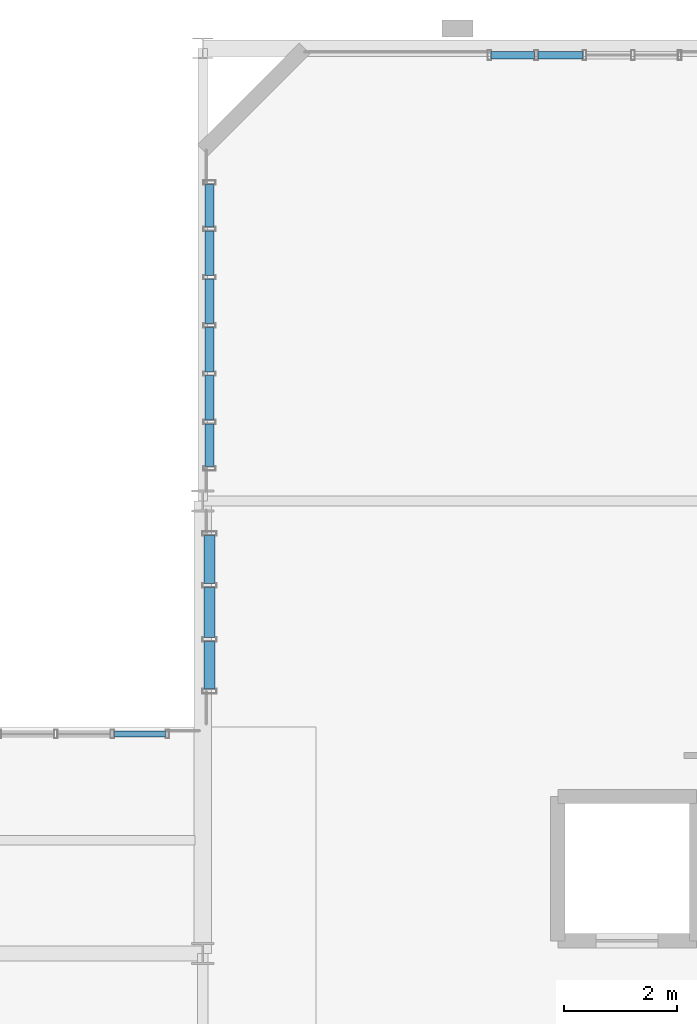
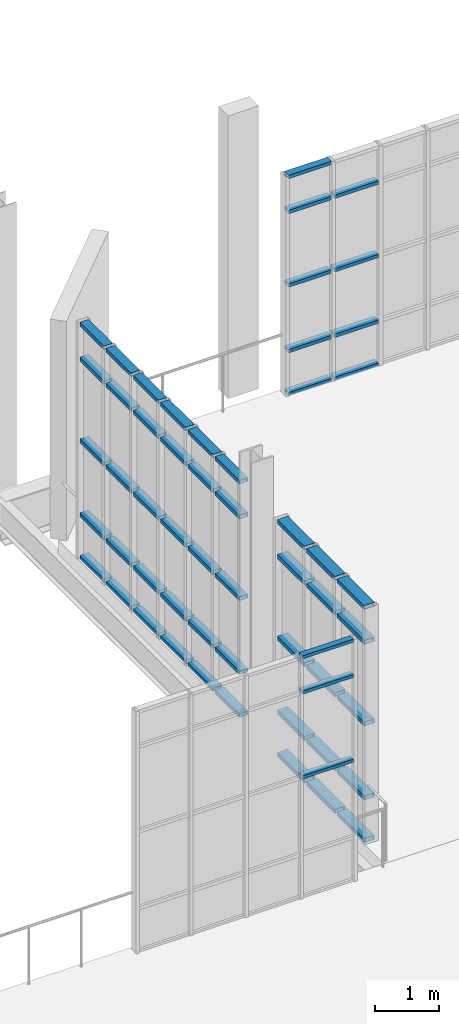
# One storey, part 95 of 142: 57 members, 4 elements without a shape of their own.
"""IFC4 building model written with IfcOpenShell, lengths in metres."""

from ifc_helpers import new_model, si_unit, direction, frame, origin, origin_2d, place, context, subcontext, project, spatial, hollow_rectangle, extrude, material, layer, layer_set, material_profile, profile_set, type_object, element, aggregate, save


model = new_model("IFC4")

# Units and contexts
model_context = context("Model", 3, precision=1e-05, world=origin(), true_north=direction((0.0, 1.0)))
body_context = subcontext(model_context, "Body", "Model", "MODEL_VIEW")
ifc_project = project(units=[si_unit("LENGTHUNIT", "METRE"), si_unit("AREAUNIT", "SQUARE_METRE"), si_unit("VOLUMEUNIT", "CUBIC_METRE"), si_unit("PLANEANGLEUNIT", "RADIAN"), si_unit("MASSUNIT", "GRAM", prefix="KILO"), si_unit("THERMODYNAMICTEMPERATUREUNIT", "KELVIN"), si_unit("POWERUNIT", "WATT")], contexts=[model_context])

# Site, building, storey
site_placement = place(None, origin())
site = spatial("IfcSite", under=ifc_project, at=site_placement, CompositionType="ELEMENT")
building_placement = place(site_placement, origin())
building = spatial("IfcBuilding", under=site, at=building_placement, Name="Zelmaris Science Centre", CompositionType="ELEMENT")
storey_placement = place(building_placement, frame((0.0, 0.0, 5.39990234375)))
storey = spatial("IfcBuildingStorey", under=building, at=storey_placement, Name="L01", CompositionType="ELEMENT", Elevation=5.39990234375)

# Curtain wall, members
ifc_material = material(Name="Anodised architectural aluminium 6063-T6", Category="aluminium")
ifc_layer_1 = layer(ifc_material, 0.219970703125, Name="Anodised architectural aluminium 6063-T6")
ifc_layer_set_1 = layer_set([ifc_layer_1], Name="Anodised architectural aluminium 6063-T6")
curtain_wall_type_1 = type_object("IfcCurtainWallType", Name="Curtain Wall CW-04", PredefinedType="USERDEFINED", material=ifc_layer_set_1)
curtain_wall_1_placement = place(storey_placement, origin())
curtain_wall_1 = element("IfcCurtainWall", 1, at=curtain_wall_1_placement, inside=storey, type_object=curtain_wall_type_1, Name="L01 Unitised curtain wall 128", ObjectType="GLAZED CURTAIN WALL", PredefinedType="USERDEFINED")
ifc_material_profile_1 = material_profile(ifc_material, hollow_rectangle(XDim=0.06005859375, YDim=0.110107421875, WallThickness=0.0029296875, at=origin_2d()), Name="ALU-TRN-60X110")
ifc_profile_set_1 = profile_set([ifc_material_profile_1], Name="Anodised architectural aluminium 6063-T6")
member_type_1 = type_object("IfcMemberType", Name="ALU-TRN-60X110", PredefinedType="USERDEFINED", material=ifc_profile_set_1)
member_1_placement = place(storey_placement, frame((52.4287109375, 75.88037109375, 2.302490234375), z_axis=(0.999999964727, -0.00026560424, 0.0), x_axis=(0.0, 0.0, 1.0)))
member_1 = element("IfcMember", 2, at=member_1_placement, type_object=member_type_1, Name="CW-04 transom 4.3", ObjectType="TRANSOM", PredefinedType="USERDEFINED", context=body_context, shape_type="SweptSolid", body=[
    extrude(hollow_rectangle(XDim=0.06005859375, YDim=0.110107421875, WallThickness=0.0029296875, at=origin_2d()), origin(), (0.0, 0.0, 1.0), 0.919189453125),
])
member_2_placement = place(storey_placement, frame((52.4287109375, 75.88037109375, 3.920166015625), z_axis=(0.999999964727, -0.00026560424, 0.0), x_axis=(0.0, 0.0, 1.0)))
member_2 = element("IfcMember", 3, at=member_2_placement, type_object=member_type_1, Name="CW-04 transom 4.4", ObjectType="TRANSOM", PredefinedType="USERDEFINED", context=body_context, shape_type="SweptSolid", body=[
    extrude(hollow_rectangle(XDim=0.06005859375, YDim=0.110107421875, WallThickness=0.0029296875, at=origin_2d()), origin(), (0.0, 0.0, 1.0), 0.919189453125),
])
member_3_placement = place(storey_placement, frame((52.4287109375, 75.88037109375, 4.593994140625), z_axis=(0.999999964727, -0.00026560424, 0.0), x_axis=(0.0, 0.0, 1.0)))
member_3 = element("IfcMember", 4, at=member_3_placement, type_object=member_type_1, Name="CW-04 transom 4.5", ObjectType="TRANSOM", PredefinedType="USERDEFINED", context=body_context, shape_type="SweptSolid", body=[
    extrude(hollow_rectangle(XDim=0.06005859375, YDim=0.110107421875, WallThickness=0.0029296875, at=origin_2d()), origin(), (0.0, 0.0, 1.0), 0.919189453125),
])
aggregate(curtain_wall_1, [member_1, member_2, member_3])

ifc_layer_2 = layer(ifc_material, 0.2099609375, Name="Anodised architectural aluminium 6063-T6")
ifc_layer_set_2 = layer_set([ifc_layer_2], Name="Anodised architectural aluminium 6063-T6")
curtain_wall_type_2 = type_object("IfcCurtainWallType", Name="Curtain Wall CW-03", PredefinedType="USERDEFINED", material=ifc_layer_set_2)
curtain_wall_2_placement = place(storey_placement, origin())
curtain_wall_2 = element("IfcCurtainWall", 5, at=curtain_wall_2_placement, inside=storey, type_object=curtain_wall_type_2, Name="L01 Unitised curtain wall 131", ObjectType="GLAZED CURTAIN WALL", PredefinedType="USERDEFINED")
ifc_material_profile_2 = material_profile(ifc_material, hollow_rectangle(XDim=0.06494140625, YDim=0.1298828125, WallThickness=0.00341796875, at=origin_2d()), Name="ALU-TRN-65X130")
ifc_profile_set_2 = profile_set([ifc_material_profile_2], Name="Anodised architectural aluminium 6063-T6")
member_type_2 = type_object("IfcMemberType", Name="ALU-TRN-65X130", PredefinedType="USERDEFINED", material=ifc_profile_set_2)
member_4_placement = place(storey_placement, frame((59.096923828125, 87.8798828125, 0.013671875), z_axis=(1.0, 0.0, 0.0), x_axis=(0.0, 0.0, 1.0)))
member_4 = element("IfcMember", 6, at=member_4_placement, type_object=member_type_2, Name="CW-03 transom 1.1", ObjectType="TRANSOM", PredefinedType="USERDEFINED", context=body_context, shape_type="SweptSolid", body=[
    extrude(hollow_rectangle(XDim=0.06494140625, YDim=0.1298828125, WallThickness=0.00341796875, at=origin_2d()), origin(), (0.0, 0.0, 1.0), 0.76953125),
])
member_5_placement = place(storey_placement, frame((59.096923828125, 87.8798828125, 0.835205078125), z_axis=(1.0, 0.0, 0.0), x_axis=(0.0, 0.0, 1.0)))
member_5 = element("IfcMember", 7, at=member_5_placement, type_object=member_type_2, Name="CW-03 transom 1.2", ObjectType="TRANSOM", PredefinedType="USERDEFINED", context=body_context, shape_type="SweptSolid", body=[
    extrude(hollow_rectangle(XDim=0.06494140625, YDim=0.1298828125, WallThickness=0.00341796875, at=origin_2d()), origin(), (0.0, 0.0, 1.0), 0.76953125),
])
member_6_placement = place(storey_placement, frame((59.096923828125, 87.8798828125, 2.088134765625), z_axis=(1.0, 0.0, 0.0), x_axis=(0.0, 0.0, 1.0)))
member_6 = element("IfcMember", 8, at=member_6_placement, type_object=member_type_2, Name="CW-03 transom 1.3", ObjectType="TRANSOM", PredefinedType="USERDEFINED", context=body_context, shape_type="SweptSolid", body=[
    extrude(hollow_rectangle(XDim=0.06494140625, YDim=0.1298828125, WallThickness=0.00341796875, at=origin_2d()), origin(), (0.0, 0.0, 1.0), 0.76953125),
])
member_7_placement = place(storey_placement, frame((59.096923828125, 87.8798828125, 3.4912109375), z_axis=(1.0, 0.0, 0.0), x_axis=(0.0, 0.0, 1.0)))
member_7 = element("IfcMember", 9, at=member_7_placement, type_object=member_type_2, Name="CW-03 transom 1.4", ObjectType="TRANSOM", PredefinedType="USERDEFINED", context=body_context, shape_type="SweptSolid", body=[
    extrude(hollow_rectangle(XDim=0.06494140625, YDim=0.1298828125, WallThickness=0.00341796875, at=origin_2d()), origin(), (0.0, 0.0, 1.0), 0.76953125),
])
member_8_placement = place(storey_placement, frame((59.096923828125, 87.8798828125, 4.16259765625), z_axis=(1.0, 0.0, 0.0), x_axis=(0.0, 0.0, 1.0)))
member_8 = element("IfcMember", 10, at=member_8_placement, type_object=member_type_2, Name="CW-03 transom 1.5", ObjectType="TRANSOM", PredefinedType="USERDEFINED", context=body_context, shape_type="SweptSolid", body=[
    extrude(hollow_rectangle(XDim=0.06494140625, YDim=0.1298828125, WallThickness=0.00341796875, at=origin_2d()), origin(), (0.0, 0.0, 1.0), 0.76953125),
])
member_9_placement = place(storey_placement, frame((59.923583984375, 87.8798828125, 0.013671875), z_axis=(1.0, 0.0, 0.0), x_axis=(0.0, 0.0, 1.0)))
member_9 = element("IfcMember", 11, at=member_9_placement, type_object=member_type_2, Name="CW-03 transom 2.1", ObjectType="TRANSOM", PredefinedType="USERDEFINED", context=body_context, shape_type="SweptSolid", body=[
    extrude(hollow_rectangle(XDim=0.06494140625, YDim=0.1298828125, WallThickness=0.00341796875, at=origin_2d()), origin(), (0.0, 0.0, 1.0), 0.7978515625),
])
member_10_placement = place(storey_placement, frame((59.923583984375, 87.8798828125, 0.835205078125), z_axis=(1.0, 0.0, 0.0), x_axis=(0.0, 0.0, 1.0)))
member_10 = element("IfcMember", 12, at=member_10_placement, type_object=member_type_2, Name="CW-03 transom 2.2", ObjectType="TRANSOM", PredefinedType="USERDEFINED", context=body_context, shape_type="SweptSolid", body=[
    extrude(hollow_rectangle(XDim=0.06494140625, YDim=0.1298828125, WallThickness=0.00341796875, at=origin_2d()), origin(), (0.0, 0.0, 1.0), 0.7978515625),
])
member_11_placement = place(storey_placement, frame((59.923583984375, 87.8798828125, 2.088134765625), z_axis=(1.0, 0.0, 0.0), x_axis=(0.0, 0.0, 1.0)))
member_11 = element("IfcMember", 13, at=member_11_placement, type_object=member_type_2, Name="CW-03 transom 2.3", ObjectType="TRANSOM", PredefinedType="USERDEFINED", context=body_context, shape_type="SweptSolid", body=[
    extrude(hollow_rectangle(XDim=0.06494140625, YDim=0.1298828125, WallThickness=0.00341796875, at=origin_2d()), origin(), (0.0, 0.0, 1.0), 0.7978515625),
])
member_12_placement = place(storey_placement, frame((59.923583984375, 87.8798828125, 3.4912109375), z_axis=(1.0, 0.0, 0.0), x_axis=(0.0, 0.0, 1.0)))
member_12 = element("IfcMember", 14, at=member_12_placement, type_object=member_type_2, Name="CW-03 transom 2.4", ObjectType="TRANSOM", PredefinedType="USERDEFINED", context=body_context, shape_type="SweptSolid", body=[
    extrude(hollow_rectangle(XDim=0.06494140625, YDim=0.1298828125, WallThickness=0.00341796875, at=origin_2d()), origin(), (0.0, 0.0, 1.0), 0.7978515625),
])
aggregate(curtain_wall_2, [member_4, member_5, member_6, member_7, member_8, member_9, member_10, member_11, member_12])

ifc_layer_3 = layer(ifc_material, 0.199951171875, Name="Anodised architectural aluminium 6063-T6")
ifc_layer_set_3 = layer_set([ifc_layer_3], Name="Anodised architectural aluminium 6063-T6")
curtain_wall_type_3 = type_object("IfcCurtainWallType", Name="Curtain Wall CW-02", PredefinedType="USERDEFINED", material=ifc_layer_set_3)
curtain_wall_3_placement = place(storey_placement, origin())
curtain_wall_3 = element("IfcCurtainWall", 15, at=curtain_wall_3_placement, inside=storey, type_object=curtain_wall_type_3, Name="L01 Unitised curtain wall 130", ObjectType="GLAZED CURTAIN WALL", PredefinedType="USERDEFINED")
ifc_material_profile_3 = material_profile(ifc_material, hollow_rectangle(XDim=0.074951171875, YDim=0.159912109375, WallThickness=0.00390625, at=origin_2d()), Name="ALU-TRN-75X160")
ifc_profile_set_3 = profile_set([ifc_material_profile_3], Name="Anodised architectural aluminium 6063-T6")
member_type_3 = type_object("IfcMemberType", Name="ALU-TRN-75X160", PredefinedType="USERDEFINED", material=ifc_profile_set_3)
member_13_placement = place(storey_placement, frame((54.1201171875, 80.60693359375, 0.0185546875), z_axis=(0.0, 1.0, 0.0), x_axis=(0.0, 0.0, 1.0)))
member_13 = element("IfcMember", 16, at=member_13_placement, type_object=member_type_3, Name="CW-02 transom 1.1", ObjectType="TRANSOM", PredefinedType="USERDEFINED", context=body_context, shape_type="SweptSolid", body=[
    extrude(hollow_rectangle(XDim=0.074951171875, YDim=0.159912109375, WallThickness=0.00390625, at=origin_2d()), origin(), (0.0, 0.0, 1.0), 0.7529296875),
])
member_14_placement = place(storey_placement, frame((54.1201171875, 80.60693359375, 0.835205078125), z_axis=(0.0, 1.0, 0.0), x_axis=(0.0, 0.0, 1.0)))
member_14 = element("IfcMember", 17, at=member_14_placement, type_object=member_type_3, Name="CW-02 transom 1.2", ObjectType="TRANSOM", PredefinedType="USERDEFINED", context=body_context, shape_type="SweptSolid", body=[
    extrude(hollow_rectangle(XDim=0.074951171875, YDim=0.159912109375, WallThickness=0.00390625, at=origin_2d()), origin(), (0.0, 0.0, 1.0), 0.7529296875),
])
member_15_placement = place(storey_placement, frame((54.1201171875, 80.60693359375, 2.24560546875), z_axis=(0.0, 1.0, 0.0), x_axis=(0.0, 0.0, 1.0)))
member_15 = element("IfcMember", 18, at=member_15_placement, type_object=member_type_3, Name="CW-02 transom 1.3", ObjectType="TRANSOM", PredefinedType="USERDEFINED", context=body_context, shape_type="SweptSolid", body=[
    extrude(hollow_rectangle(XDim=0.074951171875, YDim=0.159912109375, WallThickness=0.00390625, at=origin_2d()), origin(), (0.0, 0.0, 1.0), 0.7529296875),
])
member_16_placement = place(storey_placement, frame((54.1201171875, 80.60693359375, 3.80615234375), z_axis=(0.0, 1.0, 0.0), x_axis=(0.0, 0.0, 1.0)))
member_16 = element("IfcMember", 19, at=member_16_placement, type_object=member_type_3, Name="CW-02 transom 1.4", ObjectType="TRANSOM", PredefinedType="USERDEFINED", context=body_context, shape_type="SweptSolid", body=[
    extrude(hollow_rectangle(XDim=0.074951171875, YDim=0.159912109375, WallThickness=0.00390625, at=origin_2d()), origin(), (0.0, 0.0, 1.0), 0.7529296875),
])
member_17_placement = place(storey_placement, frame((54.1201171875, 80.60693359375, 4.47265625), z_axis=(0.0, 1.0, 0.0), x_axis=(0.0, 0.0, 1.0)))
member_17 = element("IfcMember", 20, at=member_17_placement, type_object=member_type_3, Name="CW-02 transom 1.5", ObjectType="TRANSOM", PredefinedType="USERDEFINED", context=body_context, shape_type="SweptSolid", body=[
    extrude(hollow_rectangle(XDim=0.074951171875, YDim=0.159912109375, WallThickness=0.00390625, at=origin_2d()), origin(), (0.0, 0.0, 1.0), 0.7529296875),
])
member_18_placement = place(storey_placement, frame((54.1201171875, 81.4267578125, 0.0185546875), z_axis=(0.0, 1.0, 0.0), x_axis=(0.0, 0.0, 1.0)))
member_18 = element("IfcMember", 21, at=member_18_placement, type_object=member_type_3, Name="CW-02 transom 2.1", ObjectType="TRANSOM", PredefinedType="USERDEFINED", context=body_context, shape_type="SweptSolid", body=[
    extrude(hollow_rectangle(XDim=0.074951171875, YDim=0.159912109375, WallThickness=0.00390625, at=origin_2d()), origin(), (0.0, 0.0, 1.0), 0.786376953125),
])
member_19_placement = place(storey_placement, frame((54.1201171875, 81.4267578125, 0.835205078125), z_axis=(0.0, 1.0, 0.0), x_axis=(0.0, 0.0, 1.0)))
member_19 = element("IfcMember", 22, at=member_19_placement, type_object=member_type_3, Name="CW-02 transom 2.2", ObjectType="TRANSOM", PredefinedType="USERDEFINED", context=body_context, shape_type="SweptSolid", body=[
    extrude(hollow_rectangle(XDim=0.074951171875, YDim=0.159912109375, WallThickness=0.00390625, at=origin_2d()), origin(), (0.0, 0.0, 1.0), 0.786376953125),
])
member_20_placement = place(storey_placement, frame((54.1201171875, 81.4267578125, 2.24560546875), z_axis=(0.0, 1.0, 0.0), x_axis=(0.0, 0.0, 1.0)))
member_20 = element("IfcMember", 23, at=member_20_placement, type_object=member_type_3, Name="CW-02 transom 2.3", ObjectType="TRANSOM", PredefinedType="USERDEFINED", context=body_context, shape_type="SweptSolid", body=[
    extrude(hollow_rectangle(XDim=0.074951171875, YDim=0.159912109375, WallThickness=0.00390625, at=origin_2d()), origin(), (0.0, 0.0, 1.0), 0.786376953125),
])
member_21_placement = place(storey_placement, frame((54.1201171875, 81.4267578125, 3.80615234375), z_axis=(0.0, 1.0, 0.0), x_axis=(0.0, 0.0, 1.0)))
member_21 = element("IfcMember", 24, at=member_21_placement, type_object=member_type_3, Name="CW-02 transom 2.4", ObjectType="TRANSOM", PredefinedType="USERDEFINED", context=body_context, shape_type="SweptSolid", body=[
    extrude(hollow_rectangle(XDim=0.074951171875, YDim=0.159912109375, WallThickness=0.00390625, at=origin_2d()), origin(), (0.0, 0.0, 1.0), 0.786376953125),
])
member_22_placement = place(storey_placement, frame((54.1201171875, 81.4267578125, 4.47265625), z_axis=(0.0, 1.0, 0.0), x_axis=(0.0, 0.0, 1.0)))
member_22 = element("IfcMember", 25, at=member_22_placement, type_object=member_type_3, Name="CW-02 transom 2.5", ObjectType="TRANSOM", PredefinedType="USERDEFINED", context=body_context, shape_type="SweptSolid", body=[
    extrude(hollow_rectangle(XDim=0.074951171875, YDim=0.159912109375, WallThickness=0.00390625, at=origin_2d()), origin(), (0.0, 0.0, 1.0), 0.786376953125),
])
member_23_placement = place(storey_placement, frame((54.1201171875, 82.2802734375, 0.0185546875), z_axis=(0.0, 1.0, 0.0), x_axis=(0.0, 0.0, 1.0)))
member_23 = element("IfcMember", 26, at=member_23_placement, type_object=member_type_3, Name="CW-02 transom 3.1", ObjectType="TRANSOM", PredefinedType="USERDEFINED", context=body_context, shape_type="SweptSolid", body=[
    extrude(hollow_rectangle(XDim=0.074951171875, YDim=0.159912109375, WallThickness=0.00390625, at=origin_2d()), origin(), (0.0, 0.0, 1.0), 0.7861328125),
])
member_24_placement = place(storey_placement, frame((54.1201171875, 82.2802734375, 0.835205078125), z_axis=(0.0, 1.0, 0.0), x_axis=(0.0, 0.0, 1.0)))
member_24 = element("IfcMember", 27, at=member_24_placement, type_object=member_type_3, Name="CW-02 transom 3.2", ObjectType="TRANSOM", PredefinedType="USERDEFINED", context=body_context, shape_type="SweptSolid", body=[
    extrude(hollow_rectangle(XDim=0.074951171875, YDim=0.159912109375, WallThickness=0.00390625, at=origin_2d()), origin(), (0.0, 0.0, 1.0), 0.7861328125),
])
member_25_placement = place(storey_placement, frame((54.1201171875, 82.2802734375, 2.24560546875), z_axis=(0.0, 1.0, 0.0), x_axis=(0.0, 0.0, 1.0)))
member_25 = element("IfcMember", 28, at=member_25_placement, type_object=member_type_3, Name="CW-02 transom 3.3", ObjectType="TRANSOM", PredefinedType="USERDEFINED", context=body_context, shape_type="SweptSolid", body=[
    extrude(hollow_rectangle(XDim=0.074951171875, YDim=0.159912109375, WallThickness=0.00390625, at=origin_2d()), origin(), (0.0, 0.0, 1.0), 0.7861328125),
])
member_26_placement = place(storey_placement, frame((54.1201171875, 82.2802734375, 3.80615234375), z_axis=(0.0, 1.0, 0.0), x_axis=(0.0, 0.0, 1.0)))
member_26 = element("IfcMember", 29, at=member_26_placement, type_object=member_type_3, Name="CW-02 transom 3.4", ObjectType="TRANSOM", PredefinedType="USERDEFINED", context=body_context, shape_type="SweptSolid", body=[
    extrude(hollow_rectangle(XDim=0.074951171875, YDim=0.159912109375, WallThickness=0.00390625, at=origin_2d()), origin(), (0.0, 0.0, 1.0), 0.7861328125),
])
member_27_placement = place(storey_placement, frame((54.1201171875, 82.2802734375, 4.47265625), z_axis=(0.0, 1.0, 0.0), x_axis=(0.0, 0.0, 1.0)))
member_27 = element("IfcMember", 30, at=member_27_placement, type_object=member_type_3, Name="CW-02 transom 3.5", ObjectType="TRANSOM", PredefinedType="USERDEFINED", context=body_context, shape_type="SweptSolid", body=[
    extrude(hollow_rectangle(XDim=0.074951171875, YDim=0.159912109375, WallThickness=0.00390625, at=origin_2d()), origin(), (0.0, 0.0, 1.0), 0.7861328125),
])
member_28_placement = place(storey_placement, frame((54.1201171875, 83.133544921875, 0.0185546875), z_axis=(0.0, 1.0, 0.0), x_axis=(0.0, 0.0, 1.0)))
member_28 = element("IfcMember", 31, at=member_28_placement, type_object=member_type_3, Name="CW-02 transom 4.1", ObjectType="TRANSOM", PredefinedType="USERDEFINED", context=body_context, shape_type="SweptSolid", body=[
    extrude(hollow_rectangle(XDim=0.074951171875, YDim=0.159912109375, WallThickness=0.00390625, at=origin_2d()), origin(), (0.0, 0.0, 1.0), 0.786376953125),
])
member_29_placement = place(storey_placement, frame((54.1201171875, 83.133544921875, 0.835205078125), z_axis=(0.0, 1.0, 0.0), x_axis=(0.0, 0.0, 1.0)))
member_29 = element("IfcMember", 32, at=member_29_placement, type_object=member_type_3, Name="CW-02 transom 4.2", ObjectType="TRANSOM", PredefinedType="USERDEFINED", context=body_context, shape_type="SweptSolid", body=[
    extrude(hollow_rectangle(XDim=0.074951171875, YDim=0.159912109375, WallThickness=0.00390625, at=origin_2d()), origin(), (0.0, 0.0, 1.0), 0.786376953125),
])
member_30_placement = place(storey_placement, frame((54.1201171875, 83.133544921875, 2.24560546875), z_axis=(0.0, 1.0, 0.0), x_axis=(0.0, 0.0, 1.0)))
member_30 = element("IfcMember", 33, at=member_30_placement, type_object=member_type_3, Name="CW-02 transom 4.3", ObjectType="TRANSOM", PredefinedType="USERDEFINED", context=body_context, shape_type="SweptSolid", body=[
    extrude(hollow_rectangle(XDim=0.074951171875, YDim=0.159912109375, WallThickness=0.00390625, at=origin_2d()), origin(), (0.0, 0.0, 1.0), 0.786376953125),
])
member_31_placement = place(storey_placement, frame((54.1201171875, 83.133544921875, 3.80615234375), z_axis=(0.0, 1.0, 0.0), x_axis=(0.0, 0.0, 1.0)))
member_31 = element("IfcMember", 34, at=member_31_placement, type_object=member_type_3, Name="CW-02 transom 4.4", ObjectType="TRANSOM", PredefinedType="USERDEFINED", context=body_context, shape_type="SweptSolid", body=[
    extrude(hollow_rectangle(XDim=0.074951171875, YDim=0.159912109375, WallThickness=0.00390625, at=origin_2d()), origin(), (0.0, 0.0, 1.0), 0.786376953125),
])
member_32_placement = place(storey_placement, frame((54.1201171875, 83.133544921875, 4.47265625), z_axis=(0.0, 1.0, 0.0), x_axis=(0.0, 0.0, 1.0)))
member_32 = element("IfcMember", 35, at=member_32_placement, type_object=member_type_3, Name="CW-02 transom 4.5", ObjectType="TRANSOM", PredefinedType="USERDEFINED", context=body_context, shape_type="SweptSolid", body=[
    extrude(hollow_rectangle(XDim=0.074951171875, YDim=0.159912109375, WallThickness=0.00390625, at=origin_2d()), origin(), (0.0, 0.0, 1.0), 0.786376953125),
])
member_33_placement = place(storey_placement, frame((54.1201171875, 83.98681640625, 0.0185546875), z_axis=(0.0, 1.0, 0.0), x_axis=(0.0, 0.0, 1.0)))
member_33 = element("IfcMember", 36, at=member_33_placement, type_object=member_type_3, Name="CW-02 transom 5.1", ObjectType="TRANSOM", PredefinedType="USERDEFINED", context=body_context, shape_type="SweptSolid", body=[
    extrude(hollow_rectangle(XDim=0.074951171875, YDim=0.159912109375, WallThickness=0.00390625, at=origin_2d()), origin(), (0.0, 0.0, 1.0), 0.786376953125),
])
member_34_placement = place(storey_placement, frame((54.1201171875, 83.98681640625, 0.835205078125), z_axis=(0.0, 1.0, 0.0), x_axis=(0.0, 0.0, 1.0)))
member_34 = element("IfcMember", 37, at=member_34_placement, type_object=member_type_3, Name="CW-02 transom 5.2", ObjectType="TRANSOM", PredefinedType="USERDEFINED", context=body_context, shape_type="SweptSolid", body=[
    extrude(hollow_rectangle(XDim=0.074951171875, YDim=0.159912109375, WallThickness=0.00390625, at=origin_2d()), origin(), (0.0, 0.0, 1.0), 0.786376953125),
])
member_35_placement = place(storey_placement, frame((54.1201171875, 83.98681640625, 2.24560546875), z_axis=(0.0, 1.0, 0.0), x_axis=(0.0, 0.0, 1.0)))
member_35 = element("IfcMember", 38, at=member_35_placement, type_object=member_type_3, Name="CW-02 transom 5.3", ObjectType="TRANSOM", PredefinedType="USERDEFINED", context=body_context, shape_type="SweptSolid", body=[
    extrude(hollow_rectangle(XDim=0.074951171875, YDim=0.159912109375, WallThickness=0.00390625, at=origin_2d()), origin(), (0.0, 0.0, 1.0), 0.786376953125),
])
member_36_placement = place(storey_placement, frame((54.1201171875, 83.98681640625, 3.80615234375), z_axis=(0.0, 1.0, 0.0), x_axis=(0.0, 0.0, 1.0)))
member_36 = element("IfcMember", 39, at=member_36_placement, type_object=member_type_3, Name="CW-02 transom 5.4", ObjectType="TRANSOM", PredefinedType="USERDEFINED", context=body_context, shape_type="SweptSolid", body=[
    extrude(hollow_rectangle(XDim=0.074951171875, YDim=0.159912109375, WallThickness=0.00390625, at=origin_2d()), origin(), (0.0, 0.0, 1.0), 0.786376953125),
])
member_37_placement = place(storey_placement, frame((54.1201171875, 83.98681640625, 4.47265625), z_axis=(0.0, 1.0, 0.0), x_axis=(0.0, 0.0, 1.0)))
member_37 = element("IfcMember", 40, at=member_37_placement, type_object=member_type_3, Name="CW-02 transom 5.5", ObjectType="TRANSOM", PredefinedType="USERDEFINED", context=body_context, shape_type="SweptSolid", body=[
    extrude(hollow_rectangle(XDim=0.074951171875, YDim=0.159912109375, WallThickness=0.00390625, at=origin_2d()), origin(), (0.0, 0.0, 1.0), 0.786376953125),
])
member_38_placement = place(storey_placement, frame((54.1201171875, 84.840087890625, 0.0185546875), z_axis=(0.0, 1.0, 0.0), x_axis=(0.0, 0.0, 1.0)))
member_38 = element("IfcMember", 41, at=member_38_placement, type_object=member_type_3, Name="CW-02 transom 6.1", ObjectType="TRANSOM", PredefinedType="USERDEFINED", context=body_context, shape_type="SweptSolid", body=[
    extrude(hollow_rectangle(XDim=0.074951171875, YDim=0.159912109375, WallThickness=0.00390625, at=origin_2d()), origin(), (0.0, 0.0, 1.0), 0.7529296875),
])
member_39_placement = place(storey_placement, frame((54.1201171875, 84.840087890625, 0.835205078125), z_axis=(0.0, 1.0, 0.0), x_axis=(0.0, 0.0, 1.0)))
member_39 = element("IfcMember", 42, at=member_39_placement, type_object=member_type_3, Name="CW-02 transom 6.2", ObjectType="TRANSOM", PredefinedType="USERDEFINED", context=body_context, shape_type="SweptSolid", body=[
    extrude(hollow_rectangle(XDim=0.074951171875, YDim=0.159912109375, WallThickness=0.00390625, at=origin_2d()), origin(), (0.0, 0.0, 1.0), 0.7529296875),
])
member_40_placement = place(storey_placement, frame((54.1201171875, 84.840087890625, 2.24560546875), z_axis=(0.0, 1.0, 0.0), x_axis=(0.0, 0.0, 1.0)))
member_40 = element("IfcMember", 43, at=member_40_placement, type_object=member_type_3, Name="CW-02 transom 6.3", ObjectType="TRANSOM", PredefinedType="USERDEFINED", context=body_context, shape_type="SweptSolid", body=[
    extrude(hollow_rectangle(XDim=0.074951171875, YDim=0.159912109375, WallThickness=0.00390625, at=origin_2d()), origin(), (0.0, 0.0, 1.0), 0.7529296875),
])
member_41_placement = place(storey_placement, frame((54.1201171875, 84.840087890625, 3.80615234375), z_axis=(0.0, 1.0, 0.0), x_axis=(0.0, 0.0, 1.0)))
member_41 = element("IfcMember", 44, at=member_41_placement, type_object=member_type_3, Name="CW-02 transom 6.4", ObjectType="TRANSOM", PredefinedType="USERDEFINED", context=body_context, shape_type="SweptSolid", body=[
    extrude(hollow_rectangle(XDim=0.074951171875, YDim=0.159912109375, WallThickness=0.00390625, at=origin_2d()), origin(), (0.0, 0.0, 1.0), 0.7529296875),
])
member_42_placement = place(storey_placement, frame((54.1201171875, 84.840087890625, 4.47265625), z_axis=(0.0, 1.0, 0.0), x_axis=(0.0, 0.0, 1.0)))
member_42 = element("IfcMember", 45, at=member_42_placement, type_object=member_type_3, Name="CW-02 transom 6.5", ObjectType="TRANSOM", PredefinedType="USERDEFINED", context=body_context, shape_type="SweptSolid", body=[
    extrude(hollow_rectangle(XDim=0.074951171875, YDim=0.159912109375, WallThickness=0.00390625, at=origin_2d()), origin(), (0.0, 0.0, 1.0), 0.7529296875),
])
aggregate(curtain_wall_3, [member_13, member_14, member_15, member_16, member_17, member_18, member_19, member_20, member_21, member_22, member_23, member_24, member_25, member_26, member_27, member_28, member_29, member_30, member_31, member_32, member_33, member_34, member_35, member_36, member_37, member_38, member_39, member_40, member_41, member_42])

ifc_layer_4 = layer(ifc_material, 0.18994140625, Name="Anodised architectural aluminium 6063-T6")
ifc_layer_set_4 = layer_set([ifc_layer_4], Name="Anodised architectural aluminium 6063-T6")
curtain_wall_type_4 = type_object("IfcCurtainWallType", Name="Curtain Wall CW-01", PredefinedType="USERDEFINED", material=ifc_layer_set_4)
curtain_wall_4_placement = place(storey_placement, origin())
curtain_wall_4 = element("IfcCurtainWall", 46, at=curtain_wall_4_placement, inside=storey, type_object=curtain_wall_type_4, Name="L01 Unitised curtain wall 129", ObjectType="GLAZED CURTAIN WALL", PredefinedType="USERDEFINED")
ifc_material_profile_4 = material_profile(ifc_material, hollow_rectangle(XDim=0.080078125, YDim=0.18994140625, WallThickness=0.00439453125, at=origin_2d()), Name="ALU-TRN-80X190")
ifc_profile_set_4 = profile_set([ifc_material_profile_4], Name="Anodised architectural aluminium 6063-T6")
member_type_4 = type_object("IfcMemberType", Name="ALU-TRN-80X190", PredefinedType="USERDEFINED", material=ifc_profile_set_4)
member_43_placement = place(storey_placement, frame((54.1201171875, 76.672119140625, 0.02099609375), z_axis=(0.0, 1.0, 0.0), x_axis=(0.0, 0.0, 1.0)))
member_43 = element("IfcMember", 47, at=member_43_placement, type_object=member_type_4, Name="CW-01 transom 1.1", ObjectType="TRANSOM", PredefinedType="USERDEFINED", context=body_context, shape_type="SweptSolid", body=[
    extrude(hollow_rectangle(XDim=0.080078125, YDim=0.18994140625, WallThickness=0.00439453125, at=origin_2d()), origin(), (0.0, 0.0, 1.0), 0.84521484375),
])
member_44_placement = place(storey_placement, frame((54.1201171875, 76.672119140625, 0.835205078125), z_axis=(0.0, 1.0, 0.0), x_axis=(0.0, 0.0, 1.0)))
member_44 = element("IfcMember", 48, at=member_44_placement, type_object=member_type_4, Name="CW-01 transom 1.2", ObjectType="TRANSOM", PredefinedType="USERDEFINED", context=body_context, shape_type="SweptSolid", body=[
    extrude(hollow_rectangle(XDim=0.080078125, YDim=0.18994140625, WallThickness=0.00439453125, at=origin_2d()), origin(), (0.0, 0.0, 1.0), 0.84521484375),
])
member_45_placement = place(storey_placement, frame((54.1201171875, 76.672119140625, 2.24560546875), z_axis=(0.0, 1.0, 0.0), x_axis=(0.0, 0.0, 1.0)))
member_45 = element("IfcMember", 49, at=member_45_placement, type_object=member_type_4, Name="CW-01 transom 1.3", ObjectType="TRANSOM", PredefinedType="USERDEFINED", context=body_context, shape_type="SweptSolid", body=[
    extrude(hollow_rectangle(XDim=0.080078125, YDim=0.18994140625, WallThickness=0.00439453125, at=origin_2d()), origin(), (0.0, 0.0, 1.0), 0.84521484375),
])
member_46_placement = place(storey_placement, frame((54.1201171875, 76.672119140625, 3.80615234375), z_axis=(0.0, 1.0, 0.0), x_axis=(0.0, 0.0, 1.0)))
member_46 = element("IfcMember", 50, at=member_46_placement, type_object=member_type_4, Name="CW-01 transom 1.4", ObjectType="TRANSOM", PredefinedType="USERDEFINED", context=body_context, shape_type="SweptSolid", body=[
    extrude(hollow_rectangle(XDim=0.080078125, YDim=0.18994140625, WallThickness=0.00439453125, at=origin_2d()), origin(), (0.0, 0.0, 1.0), 0.84521484375),
])
member_47_placement = place(storey_placement, frame((54.1201171875, 76.672119140625, 4.47021484375), z_axis=(0.0, 1.0, 0.0), x_axis=(0.0, 0.0, 1.0)))
member_47 = element("IfcMember", 51, at=member_47_placement, type_object=member_type_4, Name="CW-01 transom 1.5", ObjectType="TRANSOM", PredefinedType="USERDEFINED", context=body_context, shape_type="SweptSolid", body=[
    extrude(hollow_rectangle(XDim=0.080078125, YDim=0.18994140625, WallThickness=0.00439453125, at=origin_2d()), origin(), (0.0, 0.0, 1.0), 0.84521484375),
])
member_48_placement = place(storey_placement, frame((54.1201171875, 77.58935546875, 0.02099609375), z_axis=(0.0, 1.0, 0.0), x_axis=(0.0, 0.0, 1.0)))
member_48 = element("IfcMember", 52, at=member_48_placement, type_object=member_type_4, Name="CW-01 transom 2.1", ObjectType="TRANSOM", PredefinedType="USERDEFINED", context=body_context, shape_type="SweptSolid", body=[
    extrude(hollow_rectangle(XDim=0.080078125, YDim=0.18994140625, WallThickness=0.00439453125, at=origin_2d()), origin(), (0.0, 0.0, 1.0), 0.88134765625),
])
member_49_placement = place(storey_placement, frame((54.1201171875, 77.58935546875, 0.835205078125), z_axis=(0.0, 1.0, 0.0), x_axis=(0.0, 0.0, 1.0)))
member_49 = element("IfcMember", 53, at=member_49_placement, type_object=member_type_4, Name="CW-01 transom 2.2", ObjectType="TRANSOM", PredefinedType="USERDEFINED", context=body_context, shape_type="SweptSolid", body=[
    extrude(hollow_rectangle(XDim=0.080078125, YDim=0.18994140625, WallThickness=0.00439453125, at=origin_2d()), origin(), (0.0, 0.0, 1.0), 0.88134765625),
])
member_50_placement = place(storey_placement, frame((54.1201171875, 77.58935546875, 2.24560546875), z_axis=(0.0, 1.0, 0.0), x_axis=(0.0, 0.0, 1.0)))
member_50 = element("IfcMember", 54, at=member_50_placement, type_object=member_type_4, Name="CW-01 transom 2.3", ObjectType="TRANSOM", PredefinedType="USERDEFINED", context=body_context, shape_type="SweptSolid", body=[
    extrude(hollow_rectangle(XDim=0.080078125, YDim=0.18994140625, WallThickness=0.00439453125, at=origin_2d()), origin(), (0.0, 0.0, 1.0), 0.88134765625),
])
member_51_placement = place(storey_placement, frame((54.1201171875, 77.58935546875, 3.80615234375), z_axis=(0.0, 1.0, 0.0), x_axis=(0.0, 0.0, 1.0)))
member_51 = element("IfcMember", 55, at=member_51_placement, type_object=member_type_4, Name="CW-01 transom 2.4", ObjectType="TRANSOM", PredefinedType="USERDEFINED", context=body_context, shape_type="SweptSolid", body=[
    extrude(hollow_rectangle(XDim=0.080078125, YDim=0.18994140625, WallThickness=0.00439453125, at=origin_2d()), origin(), (0.0, 0.0, 1.0), 0.88134765625),
])
member_52_placement = place(storey_placement, frame((54.1201171875, 77.58935546875, 4.47021484375), z_axis=(0.0, 1.0, 0.0), x_axis=(0.0, 0.0, 1.0)))
member_52 = element("IfcMember", 56, at=member_52_placement, type_object=member_type_4, Name="CW-01 transom 2.5", ObjectType="TRANSOM", PredefinedType="USERDEFINED", context=body_context, shape_type="SweptSolid", body=[
    extrude(hollow_rectangle(XDim=0.080078125, YDim=0.18994140625, WallThickness=0.00439453125, at=origin_2d()), origin(), (0.0, 0.0, 1.0), 0.88134765625),
])
member_53_placement = place(storey_placement, frame((54.1201171875, 78.542724609375, 0.02099609375), z_axis=(0.0, 1.0, 0.0), x_axis=(0.0, 0.0, 1.0)))
member_53 = element("IfcMember", 57, at=member_53_placement, type_object=member_type_4, Name="CW-01 transom 3.1", ObjectType="TRANSOM", PredefinedType="USERDEFINED", context=body_context, shape_type="SweptSolid", body=[
    extrude(hollow_rectangle(XDim=0.080078125, YDim=0.18994140625, WallThickness=0.00439453125, at=origin_2d()), origin(), (0.0, 0.0, 1.0), 0.84521484375),
])
member_54_placement = place(storey_placement, frame((54.1201171875, 78.542724609375, 0.835205078125), z_axis=(0.0, 1.0, 0.0), x_axis=(0.0, 0.0, 1.0)))
member_54 = element("IfcMember", 58, at=member_54_placement, type_object=member_type_4, Name="CW-01 transom 3.2", ObjectType="TRANSOM", PredefinedType="USERDEFINED", context=body_context, shape_type="SweptSolid", body=[
    extrude(hollow_rectangle(XDim=0.080078125, YDim=0.18994140625, WallThickness=0.00439453125, at=origin_2d()), origin(), (0.0, 0.0, 1.0), 0.84521484375),
])
member_55_placement = place(storey_placement, frame((54.1201171875, 78.542724609375, 2.24560546875), z_axis=(0.0, 1.0, 0.0), x_axis=(0.0, 0.0, 1.0)))
member_55 = element("IfcMember", 59, at=member_55_placement, type_object=member_type_4, Name="CW-01 transom 3.3", ObjectType="TRANSOM", PredefinedType="USERDEFINED", context=body_context, shape_type="SweptSolid", body=[
    extrude(hollow_rectangle(XDim=0.080078125, YDim=0.18994140625, WallThickness=0.00439453125, at=origin_2d()), origin(), (0.0, 0.0, 1.0), 0.84521484375),
])
member_56_placement = place(storey_placement, frame((54.1201171875, 78.542724609375, 3.80615234375), z_axis=(0.0, 1.0, 0.0), x_axis=(0.0, 0.0, 1.0)))
member_56 = element("IfcMember", 60, at=member_56_placement, type_object=member_type_4, Name="CW-01 transom 3.4", ObjectType="TRANSOM", PredefinedType="USERDEFINED", context=body_context, shape_type="SweptSolid", body=[
    extrude(hollow_rectangle(XDim=0.080078125, YDim=0.18994140625, WallThickness=0.00439453125, at=origin_2d()), origin(), (0.0, 0.0, 1.0), 0.84521484375),
])
member_57_placement = place(storey_placement, frame((54.1201171875, 78.542724609375, 4.47021484375), z_axis=(0.0, 1.0, 0.0), x_axis=(0.0, 0.0, 1.0)))
member_57 = element("IfcMember", 61, at=member_57_placement, type_object=member_type_4, Name="CW-01 transom 3.5", ObjectType="TRANSOM", PredefinedType="USERDEFINED", context=body_context, shape_type="SweptSolid", body=[
    extrude(hollow_rectangle(XDim=0.080078125, YDim=0.18994140625, WallThickness=0.00439453125, at=origin_2d()), origin(), (0.0, 0.0, 1.0), 0.84521484375),
])
aggregate(curtain_wall_4, [member_43, member_44, member_45, member_46, member_47, member_48, member_49, member_50, member_51, member_52, member_53, member_54, member_55, member_56, member_57])

save(model, "model.ifc")
